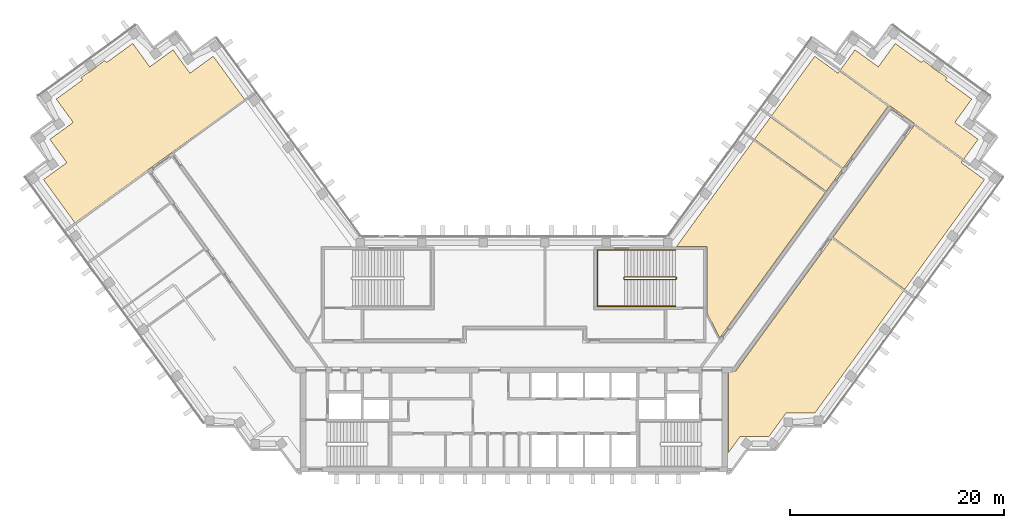
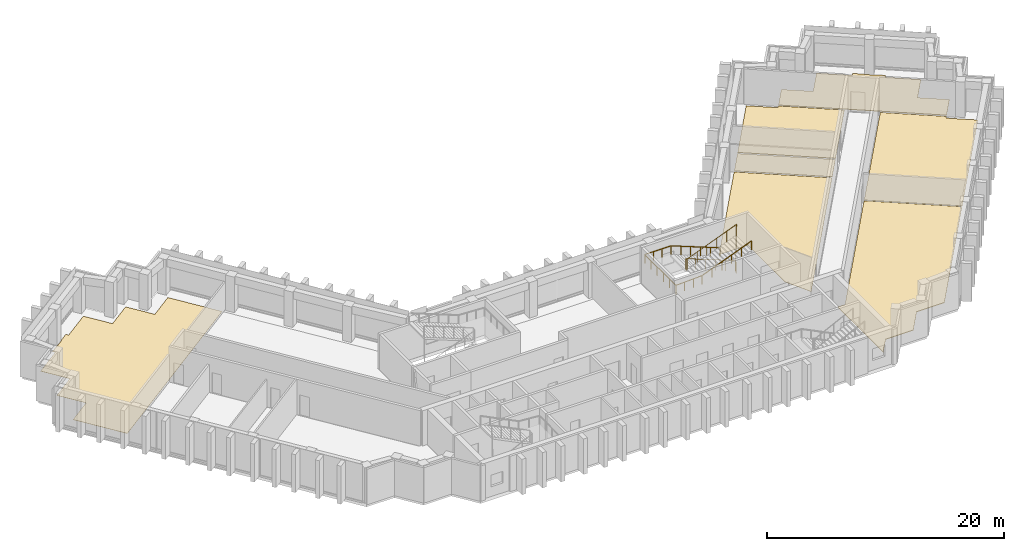
# One storey, part 10 of 10: 7 coverings, 2 railings.
"""IFC4 building model written with IfcOpenShell, lengths in metres."""

from ifc_helpers import new_model, si_unit, direction, frame, origin, origin_2d, place, context, subcontext, project, spatial, polyline, circle, outline, extrude, material, layer, layer_set, type_object, element, save


model = new_model("IFC4")

# Units and contexts
model_context = context("Model", 3, precision=1e-05, world=origin(), true_north=direction((0.0, 1.0)))
body_context = subcontext(model_context, "Body", "Model", "MODEL_VIEW")
ifc_project = project(units=[si_unit("LENGTHUNIT", "METRE"), si_unit("AREAUNIT", "SQUARE_METRE"), si_unit("VOLUMEUNIT", "CUBIC_METRE"), si_unit("PLANEANGLEUNIT", "RADIAN"), si_unit("MASSUNIT", "GRAM", prefix="KILO")], contexts=[model_context])

# Site, building, storey
site_placement = place(None, origin())
site = spatial("IfcSite", under=ifc_project, at=site_placement, CompositionType="ELEMENT")
building_placement = place(site_placement, origin())
building = spatial("IfcBuilding", under=site, at=building_placement, Name="Quipu Civic Tower", CompositionType="ELEMENT")
storey_placement = place(building_placement, frame((0.0, 0.0, 168.0)))
storey = spatial("IfcBuildingStorey", under=building, at=storey_placement, Name="L39", CompositionType="ELEMENT", Elevation=168.0)

# Coverings
ifc_material_1 = material(Name="Carpet tile on raised access floor")
ifc_layer_1 = layer(ifc_material_1, 0.02001953125)
ifc_layer_set_1 = layer_set([ifc_layer_1], Name="Carpet tile on raised access floor")
covering_type_1 = type_object("IfcCoveringType", Name="Carpet tile floor finish 20", PredefinedType="FLOORING", material=ifc_layer_set_1)
covering_1_placement = place(storey_placement, origin())
element("IfcCovering", 1, at=covering_1_placement, inside=storey, type_object=covering_type_1, Name="Carpet tile floor finish 20", PredefinedType="FLOORING", context=body_context, shape_type="SweptSolid", body=[
    extrude(outline(polyline([(-44.074951171875, 16.4140625), (-41.89208984375, 17.9990234375), (-43.47802734375, 20.18505859375), (-41.2939453125, 21.77294921875), (-42.881103515625, 23.95703125), (-40.424072265625, 25.740966796875), (-40.574951171875, 25.952880859375), (-39.81298828125, 26.507080078125), (-39.80908203125, 26.5029296875), (-39.804931640625, 26.5009765625), (-39.801025390625, 26.498046875), (-39.7958984375, 26.49609375), (-39.7919921875, 26.4951171875), (-39.787109375, 26.493896484375), (-39.781982421875, 26.492919921875), (-39.777099609375, 26.492919921875), (-39.77197265625, 26.493896484375), (-39.76806640625, 26.4951171875), (-39.762939453125, 26.49609375), (-39.758056640625, 26.498046875), (-39.75390625, 26.5), (-39.75, 26.5029296875), (-39.10302734375, 26.972900390625), (-39.09912109375, 26.97607421875), (-39.094970703125, 26.97998046875), (-39.092041015625, 26.98291015625), (-39.089111328125, 26.987060546875), (-39.0869140625, 26.991943359375), (-39.0849609375, 26.99609375), (-39.083984375, 27.0009765625), (-39.0830078125, 27.006103515625), (-39.08203125, 27.010986328125), (-39.08203125, 27.014892578125), (-39.08203125, 27.02001953125), (-39.0830078125, 27.02490234375), (-39.0849609375, 27.030029296875), (-39.0869140625, 27.033935546875), (-38.324951171875, 27.587890625), (-38.169921875, 27.37890625), (-35.712890625, 29.1640625), (-34.126953125, 26.97998046875), (-31.94091796875, 28.56591796875), (-30.35400390625, 26.383056640625), (-28.169921875, 27.968994140625), (-25.22607421875, 23.916015625), (-41.131103515625, 12.360107421875), (-44.074951171875, 16.4140625)])), origin(), (0.0, 0.0, 1.0), 0.02001953125),
])
covering_2_placement = place(storey_placement, origin())
element("IfcCovering", 2, at=covering_2_placement, inside=storey, type_object=covering_type_1, Name="Carpet tile floor finish 20", PredefinedType="FLOORING", context=body_context, shape_type="SweptSolid", body=[
    extrude(outline(polyline([(15.238037109375, 10.169921875), (22.44189453125, 20.0849609375), (29.1650390625, 15.200927734375), (19.27197265625, 1.583984375), (18.070068359375, 3.94189453125), (18.070068359375, 10.1689453125), (15.238037109375, 10.169921875)])), origin(), (0.0, 0.0, 1.0), 0.02001953125),
])
covering_3_placement = place(storey_placement, origin())
element("IfcCovering", 3, at=covering_3_placement, inside=storey, type_object=covering_type_1, Name="Carpet tile floor finish 20", PredefinedType="FLOORING", context=body_context, shape_type="SweptSolid", body=[
    extrude(outline(polyline([(29.87890625, 11.010986328125), (37.4990234375, 21.5), (42.0380859375, 18.201904296875), (41.89208984375, 17.9990234375), (44.074951171875, 16.4140625), (36.60302734375, 6.126953125), (29.87890625, 11.010986328125)])), origin(), (0.0, 0.0, 1.0), 0.02001953125),
])
ifc_material_2 = material(Name="Ceramic floor tile")
ifc_layer_2 = layer(ifc_material_2, 0.030029296875)
ifc_layer_set_2 = layer_set([ifc_layer_2], Name="Ceramic floor tile")
covering_type_2 = type_object("IfcCoveringType", Name="Ceramic tile floor finish 30", PredefinedType="FLOORING", material=ifc_layer_set_2)
covering_4_placement = place(storey_placement, origin())
element("IfcCovering", 4, at=covering_4_placement, inside=storey, type_object=covering_type_2, Name="Ceramic tile floor finish 30", PredefinedType="FLOORING", context=body_context, shape_type="SweptSolid", body=[
    extrude(outline(polyline([(22.52490234375, 20.197998046875), (24.029052734375, 22.26904296875), (30.751953125, 17.385986328125), (29.248046875, 15.31396484375), (22.52490234375, 20.197998046875)])), origin(), (0.0, 0.0, 1.0), 0.030029296875),
])
ifc_material_3 = material(Name="Sealed cement screed")
ifc_layer_3 = layer(ifc_material_3, 0.050048828125)
ifc_layer_set_3 = layer_set([ifc_layer_3], Name="Sealed cement screed")
covering_type_3 = type_object("IfcCoveringType", Name="Sealed screed floor finish 50", PredefinedType="FLOORING", material=ifc_layer_set_3)
covering_5_placement = place(storey_placement, origin())
element("IfcCovering", 5, at=covering_5_placement, inside=storey, type_object=covering_type_3, Name="Sealed screed floor finish 50", PredefinedType="FLOORING", context=body_context, shape_type="SweptSolid", body=[
    extrude(outline(polyline([(20.070068359375, -9.195068359375), (20.070068359375, -1.52001953125), (20.77490234375, -1.51904296875), (29.7958984375, 10.89794921875), (36.52001953125, 6.013916015625), (28.181884765625, -5.4609375), (25.48193359375, -5.4619140625), (23.89501953125, -7.64599609375), (21.196044921875, -7.64599609375), (20.070068359375, -9.195068359375)])), origin(), (0.0, 0.0, 1.0), 0.050048828125),
])
covering_6_placement = place(storey_placement, origin())
element("IfcCovering", 6, at=covering_6_placement, inside=storey, type_object=covering_type_3, Name="Sealed screed floor finish 50", PredefinedType="FLOORING", context=body_context, shape_type="SweptSolid", body=[
    extrude(outline(polyline([(30.583984375, 26.697021484375), (31.94189453125, 28.56591796875), (34.126953125, 26.97998046875), (35.712890625, 29.1640625), (38.169921875, 27.37890625), (38.324951171875, 27.587890625), (39.0869140625, 27.033935546875), (39.0849609375, 27.030029296875), (39.0830078125, 27.02490234375), (39.08203125, 27.02001953125), (39.08203125, 27.014892578125), (39.08203125, 27.010986328125), (39.0830078125, 27.006103515625), (39.083984375, 27.0009765625), (39.0849609375, 26.99609375), (39.0869140625, 26.991943359375), (39.089111328125, 26.987060546875), (39.092041015625, 26.98291015625), (39.094970703125, 26.97998046875), (39.09912109375, 26.97607421875), (39.10302734375, 26.972900390625), (39.75, 26.5029296875), (39.75390625, 26.5), (39.758056640625, 26.498046875), (39.762939453125, 26.49609375), (39.76806640625, 26.4951171875), (39.77197265625, 26.493896484375), (39.777099609375, 26.492919921875), (39.781982421875, 26.492919921875), (39.787109375, 26.493896484375), (39.7919921875, 26.4951171875), (39.7958984375, 26.49609375), (39.801025390625, 26.498046875), (39.804931640625, 26.5009765625), (39.80908203125, 26.5029296875), (39.81298828125, 26.507080078125), (40.574951171875, 25.952880859375), (40.424072265625, 25.740966796875), (42.881103515625, 23.95703125), (41.2939453125, 21.77294921875), (43.47802734375, 20.18505859375), (42.12109375, 18.31591796875), (30.583984375, 26.697021484375)])), origin(), (0.0, 0.0, 1.0), 0.050048828125),
])
covering_7_placement = place(storey_placement, origin())
element("IfcCovering", 7, at=covering_7_placement, inside=storey, type_object=covering_type_3, Name="Sealed screed floor finish 50", PredefinedType="FLOORING", context=body_context, shape_type="SweptSolid", body=[
    extrude(outline(polyline([(24.112060546875, 22.382080078125), (28.169921875, 27.968994140625), (30.35302734375, 26.383056640625), (30.5009765625, 26.583984375), (35.0400390625, 23.2880859375), (30.8349609375, 17.4990234375), (24.112060546875, 22.382080078125)])), origin(), (0.0, 0.0, 1.0), 0.050048828125),
])

# Railings
ifc_material_4 = material(Name="Stainless steel", Category="steel")
railing_type_1 = type_object("IfcRailingType", Name="Stair guard 1100", PredefinedType="GUARDRAIL", material=ifc_material_4)
railing_1_placement = place(storey_placement, frame((15.14990234375, 7.300048828125, 0.11767578125)))
element("IfcRailing", 8, at=railing_1_placement, inside=storey, type_object=railing_type_1, Name="Stair 4 guard", PredefinedType="GUARDRAIL", context=body_context, shape_type="SweptSolid", body=[
    extrude(circle(Radius=0.02392578125, at=origin_2d()), frame((0.0, 0.0, 1.076171875), z_axis=(-0.930970042603, 0.0, 0.365095576219), x_axis=(0.0, -1.0, 0.0)), (0.0, 0.0, 1.0), 5.15576171875),
    extrude(circle(Radius=0.02392578125, at=origin_2d()), frame((-4.7998046875, 0.0, 2.95849609375), z_axis=(-0.707106781187, -0.707106781187, 0.0), x_axis=(0.707106781187, -0.707106781187, 0.0)), (0.0, 0.0, 1.0), 0.07080078125),
    extrude(circle(Radius=0.02392578125, at=origin_2d()), frame((-4.849853515625, -0.050048828125, 2.95849609375), z_axis=(0.0, -1.0, 0.0), x_axis=(1.0, 0.0, 0.0)), (0.0, 0.0, 1.0), 0.14990234375),
    extrude(circle(Radius=0.02392578125, at=origin_2d()), frame((-4.849853515625, -0.199951171875, 2.95849609375), z_axis=(0.364463019033, -0.364463019033, 0.856932561824), x_axis=(0.707106781187, 0.707106781187, 0.0)), (0.0, 0.0, 1.0), 0.13720703125),
    extrude(circle(Radius=0.02392578125, at=origin_2d()), frame((-4.7998046875, -0.25, 3.076171875), z_axis=(0.930970042603, 0.0, 0.365095576219), x_axis=(0.0, 1.0, 0.0)), (0.0, 0.0, 1.0), 5.15576171875),
    extrude(circle(Radius=0.02392578125, at=origin_2d()), frame((0.0, -0.25, 4.95849609375), z_axis=(0.012495627992, 0.049921557685, -0.998674970829), x_axis=(-0.970072785993, 0.242814311512, 0.0)), (0.0, 0.0, 1.0), 4.00537109375),
    extrude(circle(Radius=0.02392578125, at=origin_2d()), frame((0.050048828125, -0.050048828125, 0.95849609375), z_axis=(0.0, -1.0, 0.0), x_axis=(1.0, 0.0, 0.0)), (0.0, 0.0, 1.0), 0.14990234375),
    extrude(circle(Radius=0.02099609375, at=origin_2d()), origin(), (0.0, 0.0, 1.0), 1.052001953125),
    extrude(circle(Radius=0.02099609375, at=origin_2d()), frame((-0.9599609375, 0.0, 0.37646484375)), (0.0, 0.0, 1.0), 1.052001953125),
    extrude(circle(Radius=0.02099609375, at=origin_2d()), frame((-1.919921875, 0.0, 0.7529296875)), (0.0, 0.0, 1.0), 1.052001953125),
    extrude(circle(Radius=0.02099609375, at=origin_2d()), frame((-2.8798828125, 0.0, 1.12939453125)), (0.0, 0.0, 1.0), 1.052001953125),
    extrude(circle(Radius=0.02099609375, at=origin_2d()), frame((-3.83984375, 0.0, 1.505859375)), (0.0, 0.0, 1.0), 1.052001953125),
    extrude(circle(Radius=0.02099609375, at=origin_2d()), frame((-4.7998046875, 0.0, 1.88232421875)), (0.0, 0.0, 1.0), 1.052001953125),
    extrude(circle(Radius=0.02099609375, at=origin_2d()), frame((-4.849853515625, -0.050048828125, 1.88232421875)), (0.0, 0.0, 1.0), 1.052001953125),
    extrude(circle(Radius=0.02099609375, at=origin_2d()), frame((-4.849853515625, -0.199951171875, 1.88232421875)), (0.0, 0.0, 1.0), 1.052001953125),
    extrude(circle(Radius=0.02099609375, at=origin_2d()), frame((-4.7998046875, -0.25, 2.0)), (0.0, 0.0, 1.0), 1.052001953125),
    extrude(circle(Radius=0.02099609375, at=origin_2d()), frame((-3.83984375, -0.25, 2.37646484375)), (0.0, 0.0, 1.0), 1.052001953125),
    extrude(circle(Radius=0.02099609375, at=origin_2d()), frame((-2.8798828125, -0.25, 2.7529296875)), (0.0, 0.0, 1.0), 1.052001953125),
    extrude(circle(Radius=0.02099609375, at=origin_2d()), frame((-1.919921875, -0.25, 3.12939453125)), (0.0, 0.0, 1.0), 1.052001953125),
    extrude(circle(Radius=0.02099609375, at=origin_2d()), frame((-0.9599609375, -0.25, 3.505859375)), (0.0, 0.0, 1.0), 1.052001953125),
    extrude(circle(Radius=0.02099609375, at=origin_2d()), frame((0.0, -0.25, 3.88232421875)), (0.0, 0.0, 1.0), 1.052001953125),
    extrude(circle(Radius=0.02099609375, at=origin_2d()), frame((0.012451171875, -0.199951171875, 2.88232421875)), (0.0, 0.0, 1.0), 1.052001953125),
    extrude(circle(Radius=0.02099609375, at=origin_2d()), frame((0.02490234375, -0.14990234375, 1.88232421875)), (0.0, 0.0, 1.0), 1.052001953125),
    extrude(circle(Radius=0.02099609375, at=origin_2d()), frame((0.03759765625, -0.10009765625, 0.88232421875)), (0.0, 0.0, 1.0), 1.052001953125),
    extrude(circle(Radius=0.02099609375, at=origin_2d()), frame((0.050048828125, -0.050048828125, -0.11767578125)), (0.0, 0.0, 1.0), 1.052001953125),
    extrude(circle(Radius=0.02099609375, at=origin_2d()), frame((0.050048828125, -0.199951171875, -0.11767578125)), (0.0, 0.0, 1.0), 1.052001953125),
])
ifc_material_5 = material(Name="Stainless steel", Category="steel")
railing_type_2 = type_object("IfcRailingType", Name="Stair handrail", PredefinedType="HANDRAIL", material=ifc_material_5)
railing_2_placement = place(storey_placement, frame((15.14990234375, 9.800048828125, 0.11767578125)))
element("IfcRailing", 9, at=railing_2_placement, inside=storey, type_object=railing_type_2, Name="Stair 4 handrail", PredefinedType="HANDRAIL", context=body_context, shape_type="SweptSolid", body=[
    extrude(circle(Radius=0.02392578125, at=origin_2d()), frame((0.0, 0.0, 0.8759765625), z_axis=(-0.930970042603, 0.0, 0.365095576219), x_axis=(0.0, -1.0, 0.0)), (0.0, 0.0, 1.0), 5.15576171875),
    extrude(circle(Radius=0.02392578125, at=origin_2d()), frame((-4.7998046875, 0.0, 2.75830078125), z_axis=(-1.0, 0.0, 0.0), x_axis=(0.0, -1.0, 0.0)), (0.0, 0.0, 1.0), 2.550048828125),
    extrude(circle(Radius=0.02392578125, at=origin_2d()), frame((-7.349853515625, 0.0, 2.75830078125), z_axis=(0.0, -1.0, 0.0), x_axis=(1.0, 0.0, 0.0)), (0.0, 0.0, 1.0), 5.25),
    extrude(circle(Radius=0.02392578125, at=origin_2d()), frame((-7.349853515625, -5.25, 2.75830078125), z_axis=(0.998936948642, 0.0, 0.04609742549), x_axis=(0.0, 1.0, 0.0)), (0.0, 0.0, 1.0), 2.552734375),
    extrude(circle(Radius=0.02392578125, at=origin_2d()), frame((-4.7998046875, -5.25, 2.8759765625), z_axis=(0.930970042603, 0.0, 0.365095576219), x_axis=(0.0, 1.0, 0.0)), (0.0, 0.0, 1.0), 5.15576171875),
    extrude(circle(Radius=0.02099609375, at=origin_2d()), origin(), (0.0, 0.0, 1.0), 0.851806640625),
    extrude(circle(Radius=0.02099609375, at=origin_2d()), frame((-0.9599609375, 0.0, 0.37646484375)), (0.0, 0.0, 1.0), 0.851806640625),
    extrude(circle(Radius=0.02099609375, at=origin_2d()), frame((-1.919921875, 0.0, 0.7529296875)), (0.0, 0.0, 1.0), 0.851806640625),
    extrude(circle(Radius=0.02099609375, at=origin_2d()), frame((-2.8798828125, 0.0, 1.12939453125)), (0.0, 0.0, 1.0), 0.851806640625),
    extrude(circle(Radius=0.02099609375, at=origin_2d()), frame((-3.83984375, 0.0, 1.505859375)), (0.0, 0.0, 1.0), 0.851806640625),
    extrude(circle(Radius=0.02099609375, at=origin_2d()), frame((-4.7998046875, 0.0, 1.88232421875)), (0.0, 0.0, 1.0), 0.851806640625),
    extrude(circle(Radius=0.02099609375, at=origin_2d()), frame((-5.64990234375, 0.0, 1.88232421875)), (0.0, 0.0, 1.0), 0.851806640625),
    extrude(circle(Radius=0.02099609375, at=origin_2d()), frame((-6.499755859375, 0.0, 1.88232421875)), (0.0, 0.0, 1.0), 0.851806640625),
    extrude(circle(Radius=0.02099609375, at=origin_2d()), frame((-7.349853515625, 0.0, 1.88232421875)), (0.0, 0.0, 1.0), 0.851806640625),
    extrude(circle(Radius=0.02099609375, at=origin_2d()), frame((-7.349853515625, -1.050048828125, 1.88232421875)), (0.0, 0.0, 1.0), 0.851806640625),
    extrude(circle(Radius=0.02099609375, at=origin_2d()), frame((-7.349853515625, -2.10009765625, 1.88232421875)), (0.0, 0.0, 1.0), 0.851806640625),
    extrude(circle(Radius=0.02099609375, at=origin_2d()), frame((-7.349853515625, -3.14990234375, 1.88232421875)), (0.0, 0.0, 1.0), 0.851806640625),
    extrude(circle(Radius=0.02099609375, at=origin_2d()), frame((-7.349853515625, -4.199951171875, 1.88232421875)), (0.0, 0.0, 1.0), 0.851806640625),
    extrude(circle(Radius=0.02099609375, at=origin_2d()), frame((-7.349853515625, -5.25, 1.88232421875)), (0.0, 0.0, 1.0), 0.851806640625),
    extrude(circle(Radius=0.02099609375, at=origin_2d()), frame((-6.499755859375, -5.25, 1.921630859375)), (0.0, 0.0, 1.0), 0.851806640625),
    extrude(circle(Radius=0.02099609375, at=origin_2d()), frame((-5.64990234375, -5.25, 1.960693359375)), (0.0, 0.0, 1.0), 0.851806640625),
    extrude(circle(Radius=0.02099609375, at=origin_2d()), frame((-4.7998046875, -5.25, 2.0)), (0.0, 0.0, 1.0), 0.851806640625),
    extrude(circle(Radius=0.02099609375, at=origin_2d()), frame((-3.83984375, -5.25, 2.37646484375)), (0.0, 0.0, 1.0), 0.851806640625),
    extrude(circle(Radius=0.02099609375, at=origin_2d()), frame((-2.8798828125, -5.25, 2.7529296875)), (0.0, 0.0, 1.0), 0.851806640625),
    extrude(circle(Radius=0.02099609375, at=origin_2d()), frame((-1.919921875, -5.25, 3.12939453125)), (0.0, 0.0, 1.0), 0.851806640625),
    extrude(circle(Radius=0.02099609375, at=origin_2d()), frame((-0.9599609375, -5.25, 3.505859375)), (0.0, 0.0, 1.0), 0.851806640625),
    extrude(circle(Radius=0.02099609375, at=origin_2d()), frame((0.0, -5.25, 3.88232421875)), (0.0, 0.0, 1.0), 0.851806640625),
])

save(model, "model.ifc")
